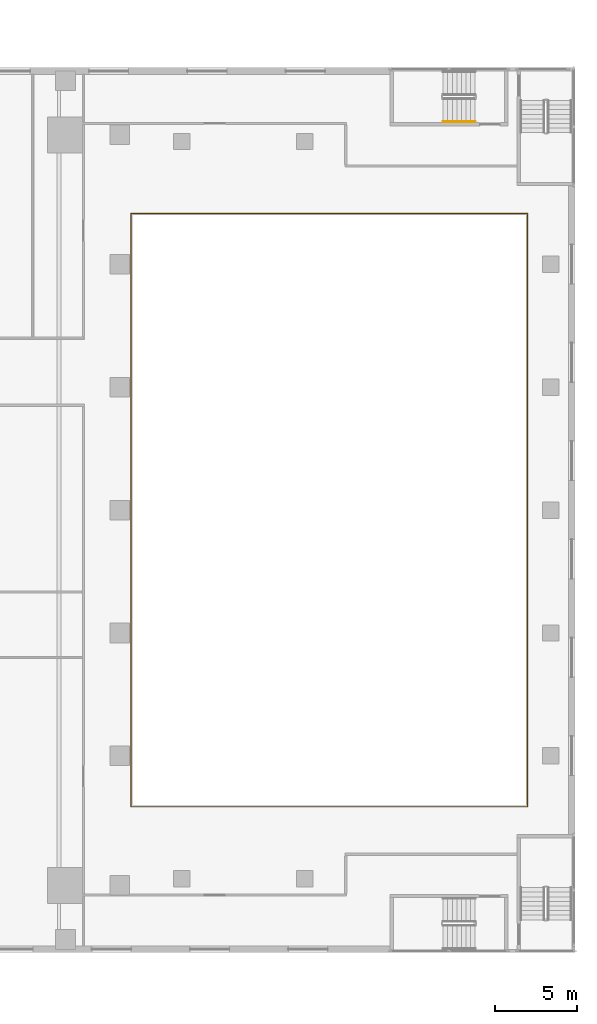
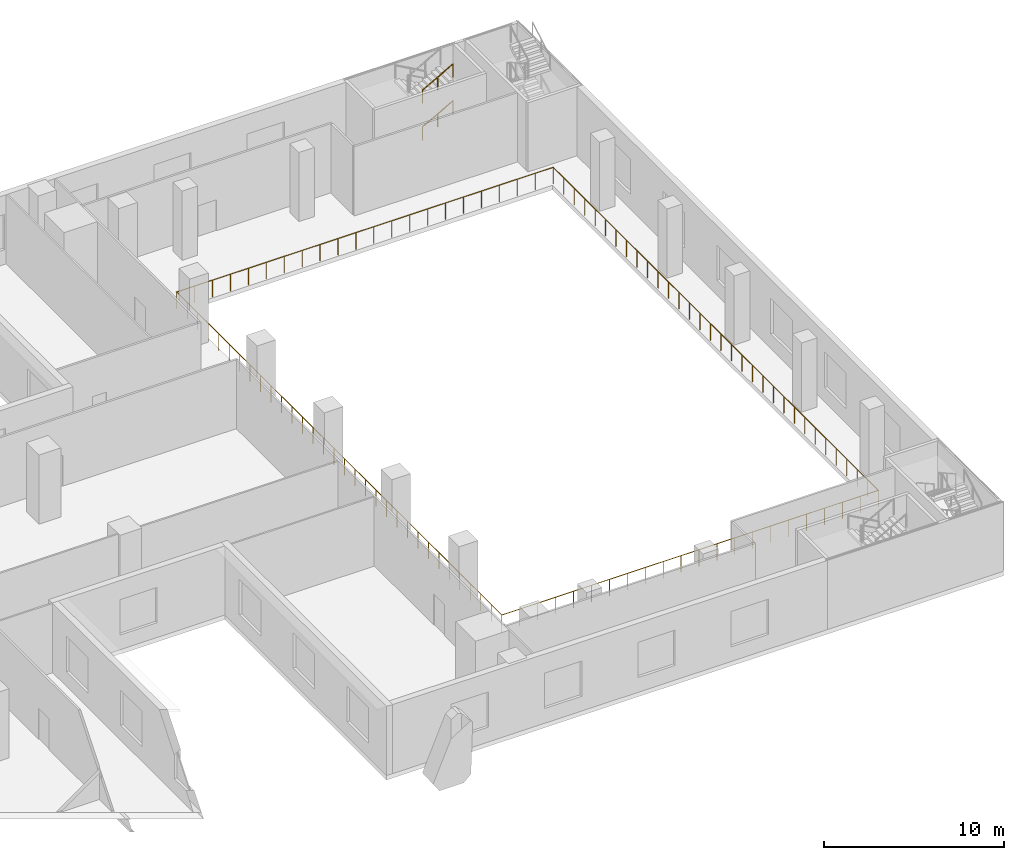
# One storey, part 22 of 23: 3 railings.
"""IFC4 building model written with IfcOpenShell, lengths in metres."""

from ifc_helpers import new_model, si_unit, direction, frame, origin, origin_2d, place, context, subcontext, project, spatial, circle, extrude, source, transform, mapped, material, type_object, element, save


model = new_model("IFC4")

# Units and contexts
model_context = context("Model", 3, precision=1e-05, world=origin(), true_north=direction((0.0, 1.0)))
body_context = subcontext(model_context, "Body", "Model", "MODEL_VIEW")
ifc_project = project(units=[si_unit("LENGTHUNIT", "METRE"), si_unit("AREAUNIT", "SQUARE_METRE"), si_unit("VOLUMEUNIT", "CUBIC_METRE"), si_unit("PLANEANGLEUNIT", "RADIAN"), si_unit("MASSUNIT", "GRAM", prefix="KILO")], contexts=[model_context])

# Site, building, storey
site_placement = place(None, origin())
site = spatial("IfcSite", under=ifc_project, at=site_placement, CompositionType="ELEMENT")
building_placement = place(site_placement, origin())
building = spatial("IfcBuilding", under=site, at=building_placement, Name="Khomas Fold Tower", CompositionType="ELEMENT")
storey_placement = place(building_placement, frame((0.0, 0.0, 18.5)))
storey = spatial("IfcBuildingStorey", under=building, at=storey_placement, Name="L03", CompositionType="ELEMENT", Elevation=18.5)

# Railings
ifc_material_1 = material(Name="Powder-coated steel", Category="steel")
railing_type_1 = type_object("IfcRailingType", Name="Balcony guard", PredefinedType="GUARDRAIL", material=ifc_material_1)
shared_shape_1 = source(origin(), body_context, "Body", "SweptSolid", [
    extrude(circle(Radius=0.02490234375, at=origin_2d()), frame((-0.02490234375, 0.0, 1.125), z_axis=(1.0, 0.0, 0.0), x_axis=(0.0, 1.0, 0.0)), (0.0, 0.0, 1.0), 24.250244140625),
    extrude(circle(Radius=0.02490234375, at=origin_2d()), frame((24.2001953125, -0.02490234375, 1.125), z_axis=(0.0, 1.0, 0.0), x_axis=(-1.0, 0.0, 0.0)), (0.0, 0.0, 1.0), 36.250244140625),
    extrude(circle(Radius=0.02490234375, at=origin_2d()), frame((24.22509765625, 36.2001953125, 1.125), z_axis=(-1.0, 0.0, 0.0), x_axis=(0.0, -1.0, 0.0)), (0.0, 0.0, 1.0), 24.250244140625),
    extrude(circle(Radius=0.02490234375, at=origin_2d()), frame((0.0, 36.22509765625, 1.125), z_axis=(0.0, -1.0, 0.0), x_axis=(1.0, 0.0, 0.0)), (0.0, 0.0, 1.0), 36.250244140625),
    extrude(circle(Radius=0.02001953125, at=origin_2d()), origin(), (0.0, 0.0, 1.0), 1.099853515625),
    extrude(circle(Radius=0.02001953125, at=origin_2d()), frame((1.15234375, 0.0, 0.0)), (0.0, 0.0, 1.0), 1.099853515625),
    extrude(circle(Radius=0.02001953125, at=origin_2d()), frame((2.3046875, 0.0, 0.0)), (0.0, 0.0, 1.0), 1.099853515625),
    extrude(circle(Radius=0.02001953125, at=origin_2d()), frame((3.457275390625, 0.0, 0.0)), (0.0, 0.0, 1.0), 1.099853515625),
    extrude(circle(Radius=0.02001953125, at=origin_2d()), frame((4.609619140625, 0.0, 0.0)), (0.0, 0.0, 1.0), 1.099853515625),
    extrude(circle(Radius=0.02001953125, at=origin_2d()), frame((5.761962890625, 0.0, 0.0)), (0.0, 0.0, 1.0), 1.099853515625),
    extrude(circle(Radius=0.02001953125, at=origin_2d()), frame((6.914306640625, 0.0, 0.0)), (0.0, 0.0, 1.0), 1.099853515625),
    extrude(circle(Radius=0.02001953125, at=origin_2d()), frame((8.066650390625, 0.0, 0.0)), (0.0, 0.0, 1.0), 1.099853515625),
    extrude(circle(Radius=0.02001953125, at=origin_2d()), frame((9.21923828125, 0.0, 0.0)), (0.0, 0.0, 1.0), 1.099853515625),
    extrude(circle(Radius=0.02001953125, at=origin_2d()), frame((10.37158203125, 0.0, 0.0)), (0.0, 0.0, 1.0), 1.099853515625),
    extrude(circle(Radius=0.02001953125, at=origin_2d()), frame((11.52392578125, 0.0, 0.0)), (0.0, 0.0, 1.0), 1.099853515625),
    extrude(circle(Radius=0.02001953125, at=origin_2d()), frame((12.67626953125, 0.0, 0.0)), (0.0, 0.0, 1.0), 1.099853515625),
    extrude(circle(Radius=0.02001953125, at=origin_2d()), frame((13.82861328125, 0.0, 0.0)), (0.0, 0.0, 1.0), 1.099853515625),
    extrude(circle(Radius=0.02001953125, at=origin_2d()), frame((14.98095703125, 0.0, 0.0)), (0.0, 0.0, 1.0), 1.099853515625),
    extrude(circle(Radius=0.02001953125, at=origin_2d()), frame((16.133544921875, 0.0, 0.0)), (0.0, 0.0, 1.0), 1.099853515625),
    extrude(circle(Radius=0.02001953125, at=origin_2d()), frame((17.285888671875, 0.0, 0.0)), (0.0, 0.0, 1.0), 1.099853515625),
    extrude(circle(Radius=0.02001953125, at=origin_2d()), frame((18.438232421875, 0.0, 0.0)), (0.0, 0.0, 1.0), 1.099853515625),
    extrude(circle(Radius=0.02001953125, at=origin_2d()), frame((19.590576171875, 0.0, 0.0)), (0.0, 0.0, 1.0), 1.099853515625),
    extrude(circle(Radius=0.02001953125, at=origin_2d()), frame((20.742919921875, 0.0, 0.0)), (0.0, 0.0, 1.0), 1.099853515625),
    extrude(circle(Radius=0.02001953125, at=origin_2d()), frame((21.8955078125, 0.0, 0.0)), (0.0, 0.0, 1.0), 1.099853515625),
    extrude(circle(Radius=0.02001953125, at=origin_2d()), frame((23.0478515625, 0.0, 0.0)), (0.0, 0.0, 1.0), 1.099853515625),
    extrude(circle(Radius=0.02001953125, at=origin_2d()), frame((24.2001953125, 0.0, 0.0)), (0.0, 0.0, 1.0), 1.099853515625),
    extrude(circle(Radius=0.02001953125, at=origin_2d()), frame((24.2001953125, 1.167724609375, 0.0)), (0.0, 0.0, 1.0), 1.099853515625),
    extrude(circle(Radius=0.02001953125, at=origin_2d()), frame((24.2001953125, 2.33544921875, 0.0)), (0.0, 0.0, 1.0), 1.099853515625),
    extrude(circle(Radius=0.02001953125, at=origin_2d()), frame((24.2001953125, 3.503173828125, 0.0)), (0.0, 0.0, 1.0), 1.099853515625),
    extrude(circle(Radius=0.02001953125, at=origin_2d()), frame((24.2001953125, 4.6708984375, 0.0)), (0.0, 0.0, 1.0), 1.099853515625),
    extrude(circle(Radius=0.02001953125, at=origin_2d()), frame((24.2001953125, 5.838623046875, 0.0)), (0.0, 0.0, 1.0), 1.099853515625),
    extrude(circle(Radius=0.02001953125, at=origin_2d()), frame((24.2001953125, 7.006591796875, 0.0)), (0.0, 0.0, 1.0), 1.099853515625),
    extrude(circle(Radius=0.02001953125, at=origin_2d()), frame((24.2001953125, 8.17431640625, 0.0)), (0.0, 0.0, 1.0), 1.099853515625),
    extrude(circle(Radius=0.02001953125, at=origin_2d()), frame((24.2001953125, 9.342041015625, 0.0)), (0.0, 0.0, 1.0), 1.099853515625),
    extrude(circle(Radius=0.02001953125, at=origin_2d()), frame((24.2001953125, 10.509765625, 0.0)), (0.0, 0.0, 1.0), 1.099853515625),
    extrude(circle(Radius=0.02001953125, at=origin_2d()), frame((24.2001953125, 11.677490234375, 0.0)), (0.0, 0.0, 1.0), 1.099853515625),
    extrude(circle(Radius=0.02001953125, at=origin_2d()), frame((24.2001953125, 12.84521484375, 0.0)), (0.0, 0.0, 1.0), 1.099853515625),
    extrude(circle(Radius=0.02001953125, at=origin_2d()), frame((24.2001953125, 14.012939453125, 0.0)), (0.0, 0.0, 1.0), 1.099853515625),
    extrude(circle(Radius=0.02001953125, at=origin_2d()), frame((24.2001953125, 15.1806640625, 0.0)), (0.0, 0.0, 1.0), 1.099853515625),
    extrude(circle(Radius=0.02001953125, at=origin_2d()), frame((24.2001953125, 16.348388671875, 0.0)), (0.0, 0.0, 1.0), 1.099853515625),
    extrude(circle(Radius=0.02001953125, at=origin_2d()), frame((24.2001953125, 17.51611328125, 0.0)), (0.0, 0.0, 1.0), 1.099853515625),
    extrude(circle(Radius=0.02001953125, at=origin_2d()), frame((24.2001953125, 18.68408203125, 0.0)), (0.0, 0.0, 1.0), 1.099853515625),
    extrude(circle(Radius=0.02001953125, at=origin_2d()), frame((24.2001953125, 19.851806640625, 0.0)), (0.0, 0.0, 1.0), 1.099853515625),
    extrude(circle(Radius=0.02001953125, at=origin_2d()), frame((24.2001953125, 21.01953125, 0.0)), (0.0, 0.0, 1.0), 1.099853515625),
    extrude(circle(Radius=0.02001953125, at=origin_2d()), frame((24.2001953125, 22.187255859375, 0.0)), (0.0, 0.0, 1.0), 1.099853515625),
    extrude(circle(Radius=0.02001953125, at=origin_2d()), frame((24.2001953125, 23.35498046875, 0.0)), (0.0, 0.0, 1.0), 1.099853515625),
    extrude(circle(Radius=0.02001953125, at=origin_2d()), frame((24.2001953125, 24.522705078125, 0.0)), (0.0, 0.0, 1.0), 1.099853515625),
    extrude(circle(Radius=0.02001953125, at=origin_2d()), frame((24.2001953125, 25.6904296875, 0.0)), (0.0, 0.0, 1.0), 1.099853515625),
    extrude(circle(Radius=0.02001953125, at=origin_2d()), frame((24.2001953125, 26.858154296875, 0.0)), (0.0, 0.0, 1.0), 1.099853515625),
    extrude(circle(Radius=0.02001953125, at=origin_2d()), frame((24.2001953125, 28.02587890625, 0.0)), (0.0, 0.0, 1.0), 1.099853515625),
    extrude(circle(Radius=0.02001953125, at=origin_2d()), frame((24.2001953125, 29.193603515625, 0.0)), (0.0, 0.0, 1.0), 1.099853515625),
    extrude(circle(Radius=0.02001953125, at=origin_2d()), frame((24.2001953125, 30.361572265625, 0.0)), (0.0, 0.0, 1.0), 1.099853515625),
    extrude(circle(Radius=0.02001953125, at=origin_2d()), frame((24.2001953125, 31.529296875, 0.0)), (0.0, 0.0, 1.0), 1.099853515625),
    extrude(circle(Radius=0.02001953125, at=origin_2d()), frame((24.2001953125, 32.697021484375, 0.0)), (0.0, 0.0, 1.0), 1.099853515625),
    extrude(circle(Radius=0.02001953125, at=origin_2d()), frame((24.2001953125, 33.86474609375, 0.0)), (0.0, 0.0, 1.0), 1.099853515625),
    extrude(circle(Radius=0.02001953125, at=origin_2d()), frame((24.2001953125, 35.032470703125, 0.0)), (0.0, 0.0, 1.0), 1.099853515625),
    extrude(circle(Radius=0.02001953125, at=origin_2d()), frame((24.2001953125, 36.2001953125, 0.0)), (0.0, 0.0, 1.0), 1.099853515625),
    extrude(circle(Radius=0.02001953125, at=origin_2d()), frame((23.0478515625, 36.2001953125, 0.0)), (0.0, 0.0, 1.0), 1.099853515625),
    extrude(circle(Radius=0.02001953125, at=origin_2d()), frame((21.8955078125, 36.2001953125, 0.0)), (0.0, 0.0, 1.0), 1.099853515625),
    extrude(circle(Radius=0.02001953125, at=origin_2d()), frame((20.742919921875, 36.2001953125, 0.0)), (0.0, 0.0, 1.0), 1.099853515625),
    extrude(circle(Radius=0.02001953125, at=origin_2d()), frame((19.590576171875, 36.2001953125, 0.0)), (0.0, 0.0, 1.0), 1.099853515625),
    extrude(circle(Radius=0.02001953125, at=origin_2d()), frame((18.438232421875, 36.2001953125, 0.0)), (0.0, 0.0, 1.0), 1.099853515625),
    extrude(circle(Radius=0.02001953125, at=origin_2d()), frame((17.285888671875, 36.2001953125, 0.0)), (0.0, 0.0, 1.0), 1.099853515625),
    extrude(circle(Radius=0.02001953125, at=origin_2d()), frame((16.133544921875, 36.2001953125, 0.0)), (0.0, 0.0, 1.0), 1.099853515625),
    extrude(circle(Radius=0.02001953125, at=origin_2d()), frame((14.98095703125, 36.2001953125, 0.0)), (0.0, 0.0, 1.0), 1.099853515625),
    extrude(circle(Radius=0.02001953125, at=origin_2d()), frame((13.82861328125, 36.2001953125, 0.0)), (0.0, 0.0, 1.0), 1.099853515625),
    extrude(circle(Radius=0.02001953125, at=origin_2d()), frame((12.67626953125, 36.2001953125, 0.0)), (0.0, 0.0, 1.0), 1.099853515625),
    extrude(circle(Radius=0.02001953125, at=origin_2d()), frame((11.52392578125, 36.2001953125, 0.0)), (0.0, 0.0, 1.0), 1.099853515625),
    extrude(circle(Radius=0.02001953125, at=origin_2d()), frame((10.37158203125, 36.2001953125, 0.0)), (0.0, 0.0, 1.0), 1.099853515625),
    extrude(circle(Radius=0.02001953125, at=origin_2d()), frame((9.21923828125, 36.2001953125, 0.0)), (0.0, 0.0, 1.0), 1.099853515625),
    extrude(circle(Radius=0.02001953125, at=origin_2d()), frame((8.066650390625, 36.2001953125, 0.0)), (0.0, 0.0, 1.0), 1.099853515625),
    extrude(circle(Radius=0.02001953125, at=origin_2d()), frame((6.914306640625, 36.2001953125, 0.0)), (0.0, 0.0, 1.0), 1.099853515625),
    extrude(circle(Radius=0.02001953125, at=origin_2d()), frame((5.761962890625, 36.2001953125, 0.0)), (0.0, 0.0, 1.0), 1.099853515625),
    extrude(circle(Radius=0.02001953125, at=origin_2d()), frame((4.609619140625, 36.2001953125, 0.0)), (0.0, 0.0, 1.0), 1.099853515625),
    extrude(circle(Radius=0.02001953125, at=origin_2d()), frame((3.457275390625, 36.2001953125, 0.0)), (0.0, 0.0, 1.0), 1.099853515625),
    extrude(circle(Radius=0.02001953125, at=origin_2d()), frame((2.3046875, 36.2001953125, 0.0)), (0.0, 0.0, 1.0), 1.099853515625),
    extrude(circle(Radius=0.02001953125, at=origin_2d()), frame((1.15234375, 36.2001953125, 0.0)), (0.0, 0.0, 1.0), 1.099853515625),
    extrude(circle(Radius=0.02001953125, at=origin_2d()), frame((0.0, 36.2001953125, 0.0)), (0.0, 0.0, 1.0), 1.099853515625),
    extrude(circle(Radius=0.02001953125, at=origin_2d()), frame((0.0, 35.032470703125, 0.0)), (0.0, 0.0, 1.0), 1.099853515625),
    extrude(circle(Radius=0.02001953125, at=origin_2d()), frame((0.0, 33.86474609375, 0.0)), (0.0, 0.0, 1.0), 1.099853515625),
    extrude(circle(Radius=0.02001953125, at=origin_2d()), frame((0.0, 32.697021484375, 0.0)), (0.0, 0.0, 1.0), 1.099853515625),
    extrude(circle(Radius=0.02001953125, at=origin_2d()), frame((0.0, 31.529296875, 0.0)), (0.0, 0.0, 1.0), 1.099853515625),
    extrude(circle(Radius=0.02001953125, at=origin_2d()), frame((0.0, 30.361572265625, 0.0)), (0.0, 0.0, 1.0), 1.099853515625),
    extrude(circle(Radius=0.02001953125, at=origin_2d()), frame((0.0, 29.193603515625, 0.0)), (0.0, 0.0, 1.0), 1.099853515625),
    extrude(circle(Radius=0.02001953125, at=origin_2d()), frame((0.0, 28.02587890625, 0.0)), (0.0, 0.0, 1.0), 1.099853515625),
    extrude(circle(Radius=0.02001953125, at=origin_2d()), frame((0.0, 26.858154296875, 0.0)), (0.0, 0.0, 1.0), 1.099853515625),
    extrude(circle(Radius=0.02001953125, at=origin_2d()), frame((0.0, 25.6904296875, 0.0)), (0.0, 0.0, 1.0), 1.099853515625),
    extrude(circle(Radius=0.02001953125, at=origin_2d()), frame((0.0, 24.522705078125, 0.0)), (0.0, 0.0, 1.0), 1.099853515625),
    extrude(circle(Radius=0.02001953125, at=origin_2d()), frame((0.0, 23.35498046875, 0.0)), (0.0, 0.0, 1.0), 1.099853515625),
    extrude(circle(Radius=0.02001953125, at=origin_2d()), frame((0.0, 22.187255859375, 0.0)), (0.0, 0.0, 1.0), 1.099853515625),
    extrude(circle(Radius=0.02001953125, at=origin_2d()), frame((0.0, 21.01953125, 0.0)), (0.0, 0.0, 1.0), 1.099853515625),
    extrude(circle(Radius=0.02001953125, at=origin_2d()), frame((0.0, 19.851806640625, 0.0)), (0.0, 0.0, 1.0), 1.099853515625),
    extrude(circle(Radius=0.02001953125, at=origin_2d()), frame((0.0, 18.68408203125, 0.0)), (0.0, 0.0, 1.0), 1.099853515625),
    extrude(circle(Radius=0.02001953125, at=origin_2d()), frame((0.0, 17.51611328125, 0.0)), (0.0, 0.0, 1.0), 1.099853515625),
    extrude(circle(Radius=0.02001953125, at=origin_2d()), frame((0.0, 16.348388671875, 0.0)), (0.0, 0.0, 1.0), 1.099853515625),
    extrude(circle(Radius=0.02001953125, at=origin_2d()), frame((0.0, 15.1806640625, 0.0)), (0.0, 0.0, 1.0), 1.099853515625),
    extrude(circle(Radius=0.02001953125, at=origin_2d()), frame((0.0, 14.012939453125, 0.0)), (0.0, 0.0, 1.0), 1.099853515625),
    extrude(circle(Radius=0.02001953125, at=origin_2d()), frame((0.0, 12.84521484375, 0.0)), (0.0, 0.0, 1.0), 1.099853515625),
    extrude(circle(Radius=0.02001953125, at=origin_2d()), frame((0.0, 11.677490234375, 0.0)), (0.0, 0.0, 1.0), 1.099853515625),
    extrude(circle(Radius=0.02001953125, at=origin_2d()), frame((0.0, 10.509765625, 0.0)), (0.0, 0.0, 1.0), 1.099853515625),
    extrude(circle(Radius=0.02001953125, at=origin_2d()), frame((0.0, 9.342041015625, 0.0)), (0.0, 0.0, 1.0), 1.099853515625),
    extrude(circle(Radius=0.02001953125, at=origin_2d()), frame((0.0, 8.17431640625, 0.0)), (0.0, 0.0, 1.0), 1.099853515625),
    extrude(circle(Radius=0.02001953125, at=origin_2d()), frame((0.0, 7.006591796875, 0.0)), (0.0, 0.0, 1.0), 1.099853515625),
    extrude(circle(Radius=0.02001953125, at=origin_2d()), frame((0.0, 5.838623046875, 0.0)), (0.0, 0.0, 1.0), 1.099853515625),
    extrude(circle(Radius=0.02001953125, at=origin_2d()), frame((0.0, 4.6708984375, 0.0)), (0.0, 0.0, 1.0), 1.099853515625),
    extrude(circle(Radius=0.02001953125, at=origin_2d()), frame((0.0, 3.503173828125, 0.0)), (0.0, 0.0, 1.0), 1.099853515625),
    extrude(circle(Radius=0.02001953125, at=origin_2d()), frame((0.0, 2.33544921875, 0.0)), (0.0, 0.0, 1.0), 1.099853515625),
    extrude(circle(Radius=0.02001953125, at=origin_2d()), frame((0.0, 1.167724609375, 0.0)), (0.0, 0.0, 1.0), 1.099853515625),
])
railing_placement = place(storey_placement, frame((53.89990234375, 8.89990234375, 0.0)))
element("IfcRailing", 1, at=railing_placement, inside=storey, type_object=railing_type_1, Name="GUARD 202", PredefinedType="GUARDRAIL", context=body_context, shape_type="MappedRepresentation", body=[
    mapped(shared_shape_1, transform((0.0, 0.0, 0.0))),
])
ifc_material_2 = material(Name="Steel handrail", Category="steel")
railing_type_2 = type_object("IfcRailingType", Name="Stair handrail", PredefinedType="HANDRAIL", material=ifc_material_2)
shared_shape_2 = source(origin(), body_context, "Body", "SweptSolid", [
    extrude(circle(Radius=0.02392578125, at=origin_2d()), frame((0.0, 0.0, 0.8759765625), z_axis=(0.873232148454, 0.0, 0.487304437602), x_axis=(0.0, 1.0, 0.0)), (0.0, 0.0, 1.0), 2.244384765625),
    extrude(circle(Radius=0.02099609375, at=origin_2d()), origin(), (0.0, 0.0, 1.0), 0.851806640625),
    extrude(circle(Radius=0.02099609375, at=origin_2d()), frame((0.97998046875, 0.0, 0.546875)), (0.0, 0.0, 1.0), 0.851806640625),
    extrude(circle(Radius=0.02099609375, at=origin_2d()), frame((1.9599609375, 0.0, 1.09375)), (0.0, 0.0, 1.0), 0.851806640625),
])
for number, where, name in (
    (2, (72.93994140625, 50.699951171875, 1.40625), "L03 PS5 stair handrail 2"),
    (3, (72.93994140625, 50.699951171875, 3.90625), "L03 PS5 stair handrail 4"),
):
    element("IfcRailing", number, at=place(storey_placement, frame(where)), inside=storey, type_object=railing_type_2, Name=name, PredefinedType="HANDRAIL", context=body_context, shape_type="MappedRepresentation", body=[
        mapped(shared_shape_2, transform((0.0, 0.0, 0.0))),
    ])

save(model, "model.ifc")
